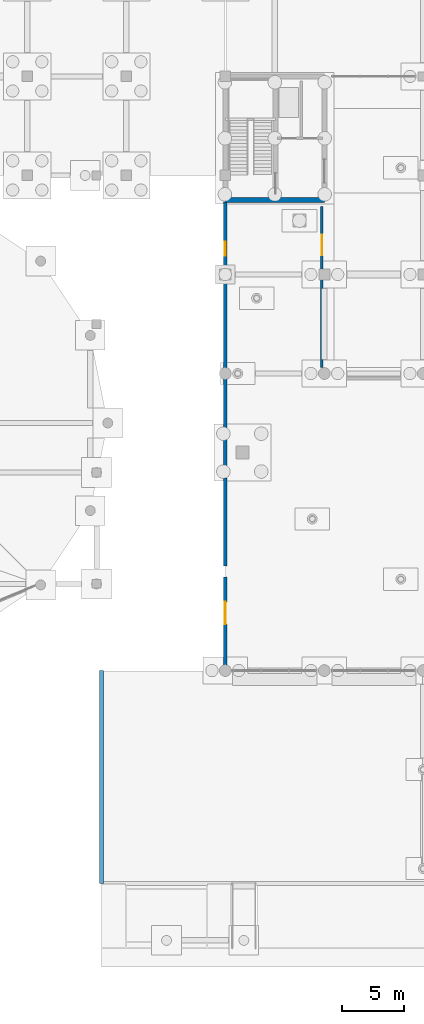
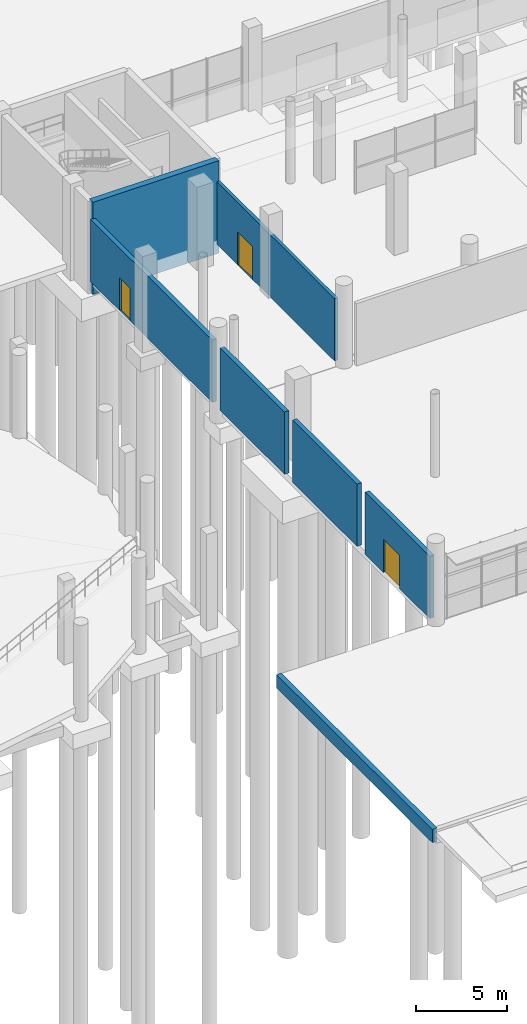
# One storey, part 72 of 98: 7 walls, 3 doors, 3 openings.
"""IFC4 building model written with IfcOpenShell, lengths in metres."""

from ifc_helpers import new_model, si_unit, derived_unit, direction, frame, frame_2d, origin, place, context, subcontext, project, spatial, rectangle, extrude, material, layer, layer_set, type_object, element, fill, save


model = new_model("IFC4")

# Units and contexts
model_context = context("Model", 3, precision=1e-05, world=origin(), true_north=direction((0.0, 1.0)))
body_context = subcontext(model_context, "Body", "Model", "MODEL_VIEW")
ifc_project = project(units=[si_unit("LENGTHUNIT", "METRE"), si_unit("AREAUNIT", "SQUARE_METRE"), si_unit("VOLUMEUNIT", "CUBIC_METRE"), si_unit("PLANEANGLEUNIT", "RADIAN"), si_unit("MASSUNIT", "GRAM", prefix="KILO"), si_unit("THERMODYNAMICTEMPERATUREUNIT", "KELVIN"), derived_unit("THERMALTRANSMITTANCEUNIT", [(si_unit("POWERUNIT", "WATT"), 1), (si_unit("AREAUNIT", "SQUARE_METRE"), -1), (si_unit("THERMODYNAMICTEMPERATUREUNIT", "KELVIN"), -1)])], contexts=[model_context])

# Site, building, storey
site_placement = place(None, origin())
site = spatial("IfcSite", under=ifc_project, at=site_placement, CompositionType="ELEMENT")
building_placement = place(site_placement, origin())
building = spatial("IfcBuilding", under=site, at=building_placement, Name="Haiyu Intermodal Mobility Hub", CompositionType="ELEMENT")
storey_placement = place(building_placement, origin())
storey = spatial("IfcBuildingStorey", under=building, at=storey_placement, Name="L00", CompositionType="ELEMENT", Elevation=0.0)

# Wall
ifc_material_1 = material(Name="Precast concrete C40", Category="concrete")
ifc_layer_1 = layer(ifc_material_1, 0.300048828125)
ifc_layer_set_1 = layer_set([ifc_layer_1], Name="Precast concrete C40")
wall_type_1 = type_object("IfcWallType", Name="WAL-WE01", PredefinedType="STANDARD", material=ifc_layer_set_1)
wall_1_placement = place(storey_placement, frame((52.0, 22.800048828125, -0.89990234375), z_axis=(0.0, 0.0, 1.0), x_axis=(0.0, 1.0, 0.0)))
element("IfcWall", 1, at=wall_1_placement, inside=storey, type_object=wall_type_1, Name="Flood Plinth Retaining Wall PLN-SFW", PredefinedType="STANDARD", context=body_context, shape_type="SweptSolid", body=[
    extrude(rectangle(XDim=17.199951171875, YDim=0.300048828125, at=frame_2d((8.60009765625, 0.0))), origin(), (0.0, 0.0, 1.0), 0.89990234375),
])

# Wall, opening, door
ifc_material_2 = material(Name="Anodised aluminium 6063-T6", Category="aluminium")
ifc_layer_2 = layer(ifc_material_2, 0.280029296875)
ifc_layer_set_2 = layer_set([ifc_layer_2], Name="Anodised aluminium 6063-T6")
wall_type_2 = type_object("IfcWallType", Name="WAL-WE02", PredefinedType="STANDARD", material=ifc_layer_set_2)
wall_2_placement = place(storey_placement, frame((62.0, 47.550048828125, 0.0), z_axis=(0.0, 0.0, 1.0), x_axis=(0.0, -1.0, 0.0)))
wall_2 = element("IfcWall", 2, at=wall_2_placement, inside=storey, type_object=wall_type_2, Name="WAL-V1W-005", PredefinedType="STANDARD", context=body_context, shape_type="SweptSolid", body=[
    extrude(rectangle(XDim=7.125, YDim=0.280029296875, at=frame_2d((3.5625, 0.0))), origin(), (0.0, 0.0, 1.0), 4.199951171875),
])
opening_1_placement = place(wall_2_placement, frame((2.0, 0.0, 0.0)))
opening_1 = element("IfcOpeningElement", 3, at=opening_1_placement, cuts=wall_2, Name="Opening DE04", PredefinedType="OPENING", context=body_context, shape_type="SweptSolid", body=[
    extrude(rectangle(XDim=1.800048828125, YDim=2.25, at=frame_2d((0.89990234375, 1.125))), frame((0.0, 0.14990234375, 0.0), z_axis=(0.0, -1.0, 0.0), x_axis=(1.0, 0.0, 0.0)), (0.0, 0.0, 1.0), 0.300048828125),
])
ifc_material_3 = material(Name="Steel Q355C", Category="steel")
door_type_1 = type_object("IfcDoorType", Name="DR-DE04", OperationType="DOUBLE_DOOR_SINGLE_SWING", PredefinedType="DOOR", material=ifc_material_3)
door_1_placement = place(opening_1_placement, origin())
door_1 = element("IfcDoor", 4, at=door_1_placement, inside=storey, type_object=door_type_1, Name="WAL-V1W-005-DR01", OperationType="ROLLINGUP", OverallHeight=2.25, OverallWidth=1.800048828125, PredefinedType="DOOR", context=body_context, shape_type="SweptSolid", body=[
    extrude(rectangle(XDim=1.800048828125, YDim=2.25, at=frame_2d((0.89990234375, 1.125))), frame((0.0, 0.02490234375, 0.0), z_axis=(0.0, -1.0, 0.0), x_axis=(1.0, 0.0, 0.0)), (0.0, 0.0, 1.0), 0.050048828125),
])
fill(opening_1, door_1)

# Walls
wall_3_placement = place(storey_placement, frame((62.0, 55.550048828125, 0.0), z_axis=(0.0, 0.0, 1.0), x_axis=(0.0, -1.0, 0.0)))
element("IfcWall", 5, at=wall_3_placement, inside=storey, type_object=wall_type_2, Name="WAL-V1W-006", PredefinedType="STANDARD", context=body_context, shape_type="SweptSolid", body=[
    extrude(rectangle(XDim=7.10009765625, YDim=0.280029296875, at=frame_2d((3.550048828125, 0.0))), origin(), (0.0, 0.0, 1.0), 4.199951171875),
])
wall_4_placement = place(storey_placement, frame((62.0, 63.574951171875, 0.0), z_axis=(0.0, 0.0, 1.0), x_axis=(0.0, -1.0, 0.0)))
element("IfcWall", 6, at=wall_4_placement, inside=storey, type_object=wall_type_2, Name="WAL-V1W-007", PredefinedType="STANDARD", context=body_context, shape_type="SweptSolid", body=[
    extrude(rectangle(XDim=7.125, YDim=0.280029296875, at=frame_2d((3.5625, 0.0))), origin(), (0.0, 0.0, 1.0), 4.199951171875),
])

# Wall, opening, door
wall_5_placement = place(storey_placement, frame((62.0, 77.860107421875, 0.0), z_axis=(0.0, 0.0, 1.0), x_axis=(0.0, -1.0, 0.0)))
wall_5 = element("IfcWall", 7, at=wall_5_placement, inside=storey, type_object=wall_type_2, Name="WAL-V1WFCR-008", PredefinedType="STANDARD", context=body_context, shape_type="SweptSolid", body=[
    extrude(rectangle(XDim=13.43505859375, YDim=0.280029296875, at=frame_2d((6.717529296875, 0.0))), origin(), (0.0, 0.0, 1.0), 4.199951171875),
])
opening_2_placement = place(wall_5_placement, frame((3.2099609375, 0.0, 0.0)))
opening_2 = element("IfcOpeningElement", 8, at=opening_2_placement, cuts=wall_5, Name="Opening DE05", PredefinedType="OPENING", context=body_context, shape_type="SweptSolid", body=[
    extrude(rectangle(XDim=1.14990234375, YDim=2.199951171875, at=frame_2d((0.574951171875, 1.10009765625))), frame((0.0, 0.14990234375, 0.0), z_axis=(0.0, -1.0, 0.0), x_axis=(1.0, 0.0, 0.0)), (0.0, 0.0, 1.0), 0.300048828125),
])
door_type_2 = type_object("IfcDoorType", Name="DR-DE05", OperationType="NOTDEFINED", PredefinedType="DOOR", material=ifc_material_3)
door_2_placement = place(opening_2_placement, origin())
door_2 = element("IfcDoor", 9, at=door_2_placement, inside=storey, type_object=door_type_2, Name="WAL-V1WFCR-008-DR01", OperationType="SINGLE_SWING_LEFT", OverallHeight=2.199951171875, OverallWidth=1.14990234375, PredefinedType="DOOR", context=body_context, shape_type="SweptSolid", body=[
    extrude(rectangle(XDim=1.14990234375, YDim=2.199951171875, at=frame_2d((0.574951171875, 1.10009765625))), frame((0.0, 0.02490234375, 0.0), z_axis=(0.0, -1.0, 0.0), x_axis=(1.0, 0.0, 0.0)), (0.0, 0.0, 1.0), 0.050048828125),
])
fill(opening_2, door_2)

ifc_material_4 = material(Name="Autoclaved aerated concrete block A5.0", Category="concrete")
ifc_layer_3 = layer(ifc_material_4, 0.199951171875)
ifc_layer_set_3 = layer_set([ifc_layer_3], Name="Autoclaved aerated concrete block A5.0")
wall_type_3 = type_object("IfcWallType", Name="WAL-WI02", PredefinedType="PARTITIONING", material=ifc_layer_set_3)
wall_6_placement = place(storey_placement, frame((69.800048828125, 77.5, 0.0), z_axis=(0.0, 0.0, 1.0), x_axis=(0.0, -1.0, 0.0)))
wall_6 = element("IfcWall", 10, at=wall_6_placement, inside=storey, type_object=wall_type_3, Name="WAL-INT-0003", PredefinedType="PARTITIONING", context=body_context, shape_type="SweptSolid", body=[
    extrude(rectangle(XDim=13.0, YDim=0.199951171875, at=frame_2d((6.5, 0.0))), origin(), (0.0, 0.0, 1.0), 4.199951171875),
])
opening_3_placement = place(wall_6_placement, frame((2.300048828125, 0.0, 0.0)))
opening_3 = element("IfcOpeningElement", 11, at=opening_3_placement, cuts=wall_6, Name="Opening DI02", PredefinedType="OPENING", context=body_context, shape_type="SweptSolid", body=[
    extrude(rectangle(XDim=1.64990234375, YDim=2.199951171875, at=frame_2d((0.824951171875, 1.10009765625))), frame((0.0, 0.10986328125, 0.0), z_axis=(0.0, -1.0, 0.0), x_axis=(1.0, 0.0, 0.0)), (0.0, 0.0, 1.0), 0.219970703125),
])
door_type_3 = type_object("IfcDoorType", Name="DR-DI02", OperationType="DOUBLE_DOOR_SINGLE_SWING", PredefinedType="DOOR", material=ifc_material_3)
door_3_placement = place(opening_3_placement, origin())
door_3 = element("IfcDoor", 12, at=door_3_placement, inside=storey, type_object=door_type_3, Name="Fire Control Room Door", OperationType="SINGLE_SWING_LEFT", OverallHeight=2.199951171875, OverallWidth=1.64990234375, PredefinedType="DOOR", context=body_context, shape_type="SweptSolid", body=[
    extrude(rectangle(XDim=1.64990234375, YDim=2.199951171875, at=frame_2d((0.824951171875, 1.10009765625))), frame((0.0, 0.02490234375, 0.0), z_axis=(0.0, -1.0, 0.0), x_axis=(1.0, 0.0, 0.0)), (0.0, 0.0, 1.0), 0.050048828125),
])
fill(opening_3, door_3)

# Wall
ifc_material_5 = material(Name="Concrete C40", Category="concrete")
ifc_layer_4 = layer(ifc_material_5, 0.39990234375)
ifc_layer_set_4 = layer_set([ifc_layer_4], Name="Concrete C40")
wall_type_4 = type_object("IfcWallType", Name="WAL-WS01", PredefinedType="SHEAR", material=ifc_layer_set_4)
wall_7_placement = place(storey_placement, frame((62.0, 78.0, -0.89990234375), z_axis=(0.0, 0.0, 1.0), x_axis=(1.0, 0.0, 0.0)))
element("IfcWall", 13, at=wall_7_placement, inside=storey, type_object=wall_type_4, Name="WAL-CORE-C1-S-L00", PredefinedType="SHEAR", context=body_context, shape_type="SweptSolid", body=[
    extrude(rectangle(XDim=8.0, YDim=0.39990234375, at=frame_2d((4.0, 0.0))), origin(), (0.0, 0.0, 1.0), 6.219970703125),
])

save(model, "model.ifc")
